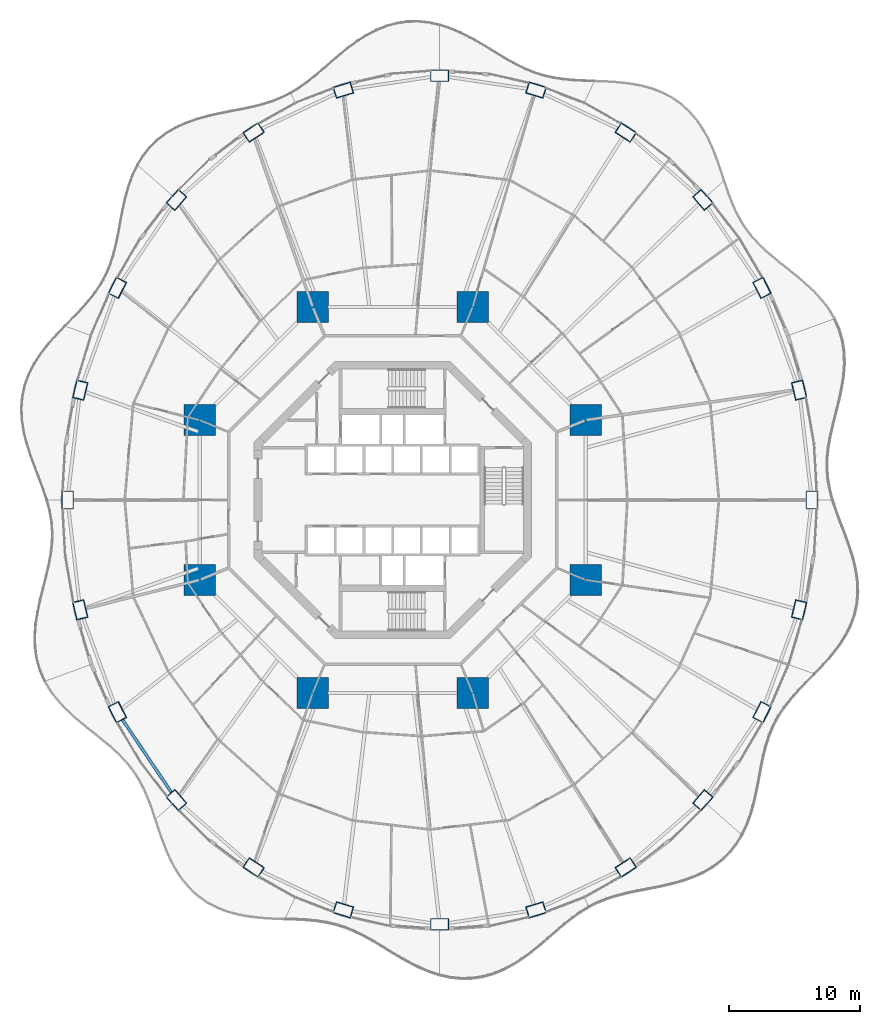
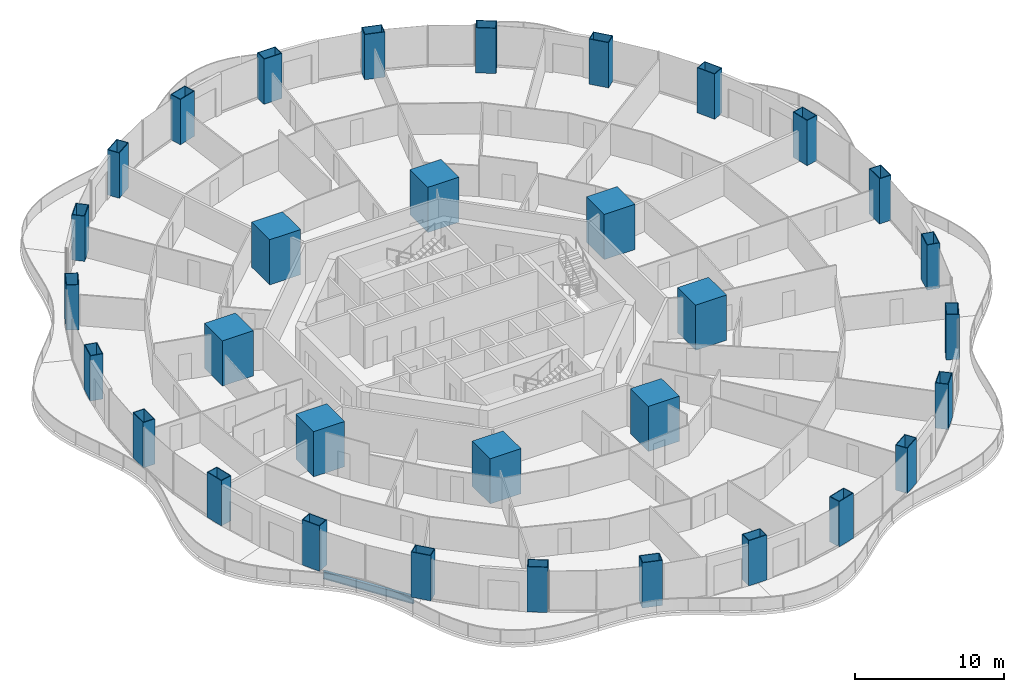
# One storey, part 1 of 22: 32 columns, 1 beam.
"""IFC4 building model written with IfcOpenShell, lengths in metres."""

from ifc_helpers import new_model, si_unit, direction, frame, origin, origin_2d, place, context, subcontext, project, spatial, rectangle, hollow_rectangle, i_section, extrude, material, material_profile, profile_set, type_object, element, save


model = new_model("IFC4")

# Units and contexts
model_context = context("Model", 3, precision=1e-05, world=origin(), true_north=direction((0.0, 1.0)))
body_context = subcontext(model_context, "Body", "Model", "MODEL_VIEW")
ifc_project = project(units=[si_unit("LENGTHUNIT", "METRE"), si_unit("AREAUNIT", "SQUARE_METRE"), si_unit("VOLUMEUNIT", "CUBIC_METRE"), si_unit("PLANEANGLEUNIT", "RADIAN"), si_unit("MASSUNIT", "GRAM", prefix="KILO")], contexts=[model_context])

# Site, building, storey
site_placement = place(None, origin())
site = spatial("IfcSite", under=ifc_project, at=site_placement, CompositionType="ELEMENT")
building_placement = place(site_placement, origin())
building = spatial("IfcBuilding", under=site, at=building_placement, Name="Nagisa Residences", CompositionType="ELEMENT")
storey_placement = place(building_placement, frame((0.0, 0.0, 64.0)))
storey = spatial("IfcBuildingStorey", under=building, at=storey_placement, Name="L15", CompositionType="ELEMENT", Elevation=64.0)

# Columns
ifc_material_1 = material(Name="Concrete C80", Category="concrete")
ifc_material_profile_1 = material_profile(ifc_material_1, rectangle(XDim=2.39990234375, YDim=2.39990234375, at=origin_2d()), Name="C80 2400x2400")
ifc_profile_set_1 = profile_set([ifc_material_profile_1], Name="Concrete C80")
column_type_1 = type_object("IfcColumnType", Name="Inner megacolumn C80 2400x2400", PredefinedType="COLUMN", material=ifc_profile_set_1)
for number, where, z_axis, x_axis, name in (
    (1, (14.781982421875, 6.123046875, 0.0), (0.0, 0.0, 1.0), (1.0, 0.0, 0.0), "col:L15:i1"),
    (2, (6.123046875, 14.781982421875, 0.0), (0.0, 0.0, 1.0), (1.0, 0.0, 0.0), "col:L15:i2"),
    (3, (-6.123046875, 14.781982421875, 0.0), (0.0, 0.0, 1.0), (1.0, 0.0, 0.0), "col:L15:i3"),
    (4, (-14.781982421875, 6.123046875, 0.0), (0.0, 0.0, 1.0), (1.0, 0.0, 0.0), "col:L15:i4"),
    (5, (-14.781982421875, -6.123046875, 0.0), (0.0, 0.0, 1.0), (1.0, 0.0, 0.0), "col:L15:i5"),
    (6, (-6.123046875, -14.781982421875, 0.0), (0.0, 0.0, 1.0), (1.0, 0.0, 0.0), "col:L15:i6"),
    (7, (6.123046875, -14.781982421875, 0.0), (0.0, 0.0, 1.0), (1.0, 0.0, 0.0), "col:L15:i7"),
    (8, (14.781982421875, -6.123046875, 0.0), (0.0, 0.0, 1.0), (1.0, 0.0, 0.0), "col:L15:i8"),
):
    element("IfcColumn", number, at=place(storey_placement, frame(where, z_axis=z_axis, x_axis=x_axis)), inside=storey, type_object=column_type_1, Name=name, PredefinedType="COLUMN", context=body_context, shape_type="SweptSolid", body=[
        extrude(rectangle(XDim=2.39990234375, YDim=2.39990234375, at=origin_2d()), origin(), (0.0, 0.0, 1.0), 3.699951171875),
    ])
ifc_material_2 = material(Name="Steel ASTM A572 Gr 50", Category="steel")
ifc_material_profile_2 = material_profile(ifc_material_2, hollow_rectangle(XDim=1.39990234375, YDim=0.89990234375, WallThickness=0.050048828125, at=origin_2d()), Name="BX 1400x900x50")
ifc_profile_set_2 = profile_set([ifc_material_profile_2], Name="Steel ASTM A572 Gr 50")
column_type_2 = type_object("IfcColumnType", Name="Perimeter column BX 1400x900x50", PredefinedType="COLUMN", material=ifc_profile_set_2)
for number, where, z_axis, x_axis, name in (
    (9, (32.10009765625, 0.0, 0.0), (0.0, 0.0, 1.0), (0.0, 1.0, 0.0), "col:L15:p00"),
    (10, (31.12890625, 8.41162109375, 0.0), (0.0, 0.0, 1.0), (-0.229202013103, 0.973378876486, 0.0), "col:L15:p01"),
    (11, (28.28173828125, 16.25, 0.0), (0.0, 0.0, 1.0), (-0.452462697578, 0.891783329795, 0.0), "col:L15:p02"),
    (12, (23.75244140625, 22.98095703125, 0.0), (0.0, 0.0, 1.0), (-0.660114607735, 0.751164898445, 0.0), "col:L15:p03"),
    (13, (17.85009765625, 28.145751953125, 0.0), (0.0, 0.0, 1.0), (-0.835766105673, 0.54908561865, 0.0), "col:L15:p04"),
    (14, (10.976318359375, 31.392578125, 0.0), (0.0, 0.0, 1.0), (-0.956524583408, 0.291651712384, 0.0), "col:L15:p05"),
    (15, (3.60009765625, 32.5, 0.0), (0.0, 0.0, 1.0), (-1.0, 0.0, 0.0), "col:L15:p06"),
    (16, (-3.7763671875, 31.392578125, 0.0), (0.0, 0.0, 1.0), (-0.956524583408, -0.291651712384, 0.0), "col:L15:p07"),
    (17, (-10.64990234375, 28.145751953125, 0.0), (0.0, 0.0, 1.0), (-0.835766105673, -0.54908561865, 0.0), "col:L15:p08"),
    (18, (-16.552490234375, 22.98095703125, 0.0), (0.0, 0.0, 1.0), (-0.660114607735, -0.751164898445, 0.0), "col:L15:p09"),
    (19, (-21.081787109375, 16.25, 0.0), (0.0, 0.0, 1.0), (-0.452462697578, -0.891783329795, 0.0), "col:L15:p10"),
    (20, (-23.928955078125, 8.41162109375, 0.0), (0.0, 0.0, 1.0), (-0.229202013103, -0.973378876486, 0.0), "col:L15:p11"),
    (21, (-24.89990234375, 0.0, 0.0), (0.0, 0.0, 1.0), (0.0, -1.0, 0.0), "col:L15:p12"),
    (22, (-23.928955078125, -8.41162109375, 0.0), (0.0, 0.0, 1.0), (0.229202013103, -0.973378876486, 0.0), "col:L15:p13"),
    (23, (-21.081787109375, -16.25, 0.0), (0.0, 0.0, 1.0), (0.452462697578, -0.891783329795, 0.0), "col:L15:p14"),
    (24, (-16.552490234375, -22.98095703125, 0.0), (0.0, 0.0, 1.0), (0.660114607735, -0.751164898445, 0.0), "col:L15:p15"),
    (25, (-10.64990234375, -28.145751953125, 0.0), (0.0, 0.0, 1.0), (0.835766105673, -0.54908561865, 0.0), "col:L15:p16"),
    (26, (-3.7763671875, -31.392578125, 0.0), (0.0, 0.0, 1.0), (0.956524583408, -0.291651712384, 0.0), "col:L15:p17"),
    (27, (3.60009765625, -32.5, 0.0), (0.0, 0.0, 1.0), (1.0, 0.0, 0.0), "col:L15:p18"),
    (28, (10.976318359375, -31.392578125, 0.0), (0.0, 0.0, 1.0), (0.956524583408, 0.291651712384, 0.0), "col:L15:p19"),
    (29, (17.85009765625, -28.145751953125, 0.0), (0.0, 0.0, 1.0), (0.835766105673, 0.54908561865, 0.0), "col:L15:p20"),
    (30, (23.75244140625, -22.98095703125, 0.0), (0.0, 0.0, 1.0), (0.660114607735, 0.751164898445, 0.0), "col:L15:p21"),
    (31, (28.28173828125, -16.25, 0.0), (0.0, 0.0, 1.0), (0.452462697578, 0.891783329795, 0.0), "col:L15:p22"),
    (32, (31.12890625, -8.41162109375, 0.0), (0.0, 0.0, 1.0), (0.229202013103, 0.973378876486, 0.0), "col:L15:p23"),
):
    element("IfcColumn", number, at=place(storey_placement, frame(where, z_axis=z_axis, x_axis=x_axis)), inside=storey, type_object=column_type_2, Name=name, PredefinedType="COLUMN", context=body_context, shape_type="SweptSolid", body=[
        extrude(hollow_rectangle(XDim=1.39990234375, YDim=0.89990234375, WallThickness=0.050048828125, at=origin_2d()), origin(), (0.0, 0.0, 1.0), 3.699951171875),
    ])

# Beam
ifc_material_3 = material(Name="Steel ASTM A572 Gr 50", Category="steel")
ifc_material_profile_3 = material_profile(ifc_material_3, i_section(OverallWidth=0.22802734375, OverallDepth=0.60302734375, WebThickness=0.010498046875, FlangeThickness=0.014892578125, at=origin_2d()), Name="W610x101")
ifc_profile_set_3 = profile_set([ifc_material_profile_3], Name="Steel ASTM A572 Gr 50")
beam_type = type_object("IfcBeamType", Name="Perimeter ring beam W610x101", PredefinedType="BEAM", material=ifc_profile_set_3)
beam_placement = place(storey_placement, frame((-20.69921875, -16.818603515625, -0.5615234375), z_axis=(0.558296806041, -0.829641293792, 0.0), x_axis=(0.829641293792, 0.558296806041, 0.0)))
element("IfcBeam", 33, at=beam_placement, inside=storey, type_object=beam_type, Name="beam:L15:pb15", PredefinedType="BEAM", context=body_context, shape_type="SweptSolid", body=[
    extrude(i_section(OverallWidth=0.22802734375, OverallDepth=0.60302734375, WebThickness=0.010498046875, FlangeThickness=0.014892578125, at=origin_2d()), origin(), (0.0, 0.0, 1.0), 6.74169921875),
])

save(model, "model.ifc")
